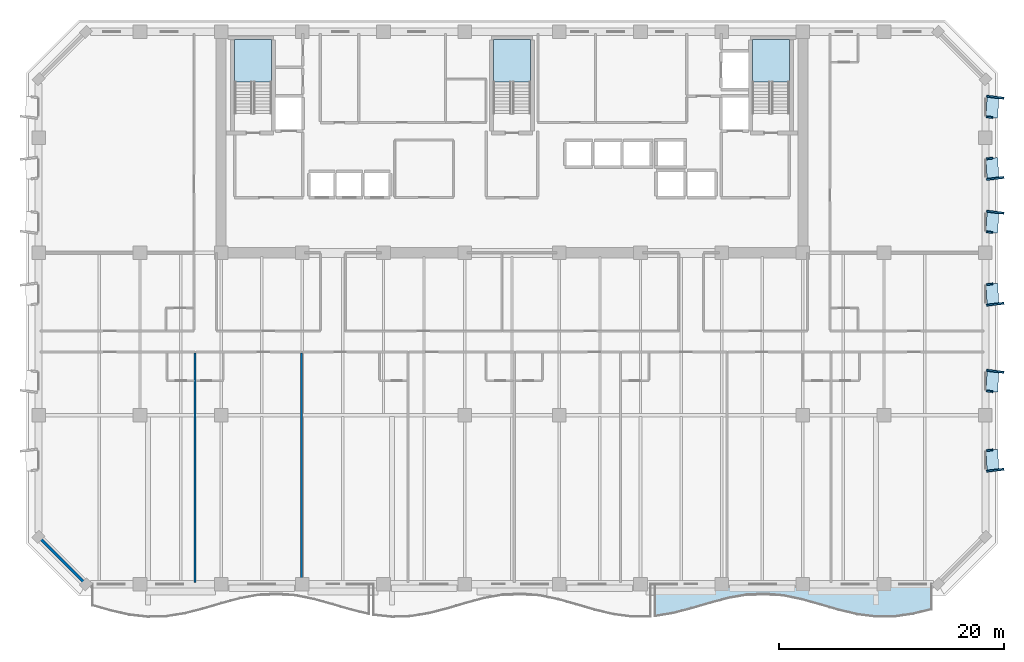
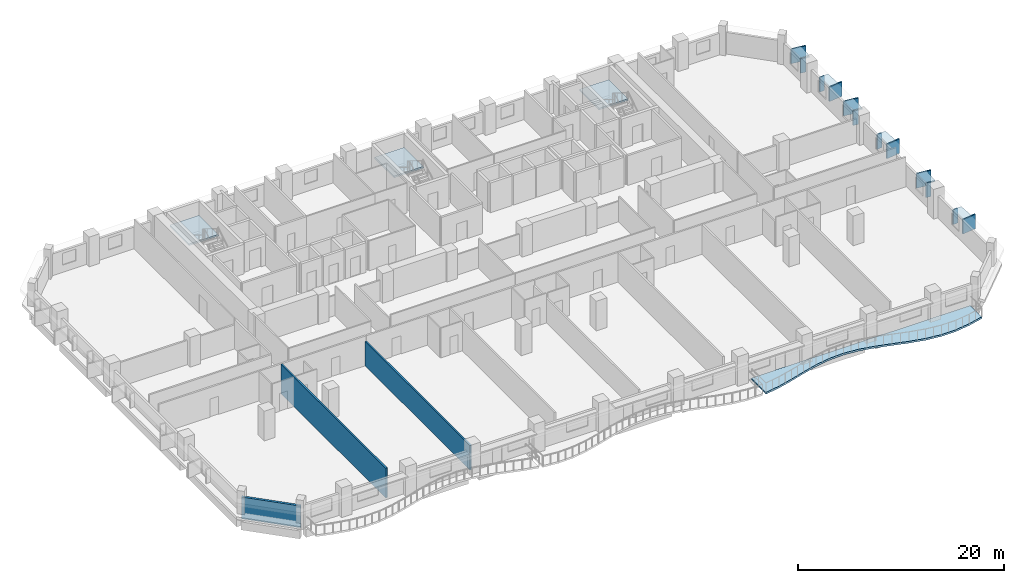
# One storey, part 3 of 14: 18 plates, 4 slabs, 3 walls, 3 elements without a shape of their own.
"""IFC4 building model written with IfcOpenShell, lengths in metres."""

from ifc_helpers import new_model, si_unit, direction, frame, frame_2d, origin, origin_2d, place, context, subcontext, project, spatial, polyline, rectangle, outline, extrude, material, layer, layer_set, type_object, element, aggregate, save


model = new_model("IFC4")

# Units and contexts
model_context = context("Model", 3, precision=1e-05, world=origin(), true_north=direction((0.0, 1.0)))
body_context = subcontext(model_context, "Body", "Model", "MODEL_VIEW")
ifc_project = project(units=[si_unit("LENGTHUNIT", "METRE"), si_unit("AREAUNIT", "SQUARE_METRE"), si_unit("VOLUMEUNIT", "CUBIC_METRE"), si_unit("PLANEANGLEUNIT", "RADIAN"), si_unit("MASSUNIT", "GRAM", prefix="KILO")], contexts=[model_context])

# Site, building, storey
site_placement = place(None, origin())
site = spatial("IfcSite", under=ifc_project, at=site_placement, CompositionType="ELEMENT")
building_placement = place(site_placement, origin())
building = spatial("IfcBuilding", under=site, at=building_placement, Name="Kaelvorn Grand Hotel", CompositionType="ELEMENT")
storey_placement = place(building_placement, frame((0.0, 0.0, 93.050048828125)))
storey = spatial("IfcBuildingStorey", under=building, at=storey_placement, Name="L21", CompositionType="ELEMENT", Elevation=93.050048828125)

# Plates
ifc_material_1 = material(Name="Precast concrete C45/55", Category="concrete")
ifc_layer_1 = layer(ifc_material_1, 0.159912109375)
ifc_layer_set_1 = layer_set([ifc_layer_1], Name="Precast concrete C45/55")
plate_type_1 = type_object("IfcPlateType", Name="PL-FRAME-DEEP-1550", PredefinedType="USERDEFINED", material=ifc_layer_set_1)
for number, where, z_axis, x_axis, name in (
    (1, (84.864990234375, 10.110107421875, 0.68994140625), (0.0, 0.0, 1.0), (-0.121869343405, 0.992546151641, 0.0), "L21 Tilted Precast Window Frame Fin L-E01"),
    (2, (84.864990234375, 18.889892578125, 0.68994140625), (0.0, 0.0, 1.0), (0.121869343405, 0.992546151641, 0.0), "L21 Tilted Precast Window Frame Fin R-E02"),
    (3, (84.864990234375, 24.8349609375, 0.68994140625), (0.0, 0.0, 1.0), (-0.121869343405, 0.992546151641, 0.0), "L21 Tilted Precast Window Frame Fin L-E03"),
    (4, (84.864990234375, 33.0048828125, 0.68994140625), (0.0, 0.0, 1.0), (0.121869343405, 0.992546151641, 0.0), "L21 Tilted Precast Window Frame Fin R-E04"),
    (5, (84.864990234375, 35.9951171875, 0.68994140625), (0.0, 0.0, 1.0), (-0.121869343405, 0.992546151641, 0.0), "L21 Tilted Precast Window Frame Fin L-E05"),
    (6, (84.864990234375, 43.205078125, 0.68994140625), (0.0, 0.0, 1.0), (0.121869343405, 0.992546151641, 0.0), "L21 Tilted Precast Window Frame Fin R-E06"),
):
    element("IfcPlate", number, at=place(storey_placement, frame(where, z_axis=z_axis, x_axis=x_axis)), inside=storey, type_object=plate_type_1, Name=name, ObjectType="FLANGE_PLATE", PredefinedType="USERDEFINED", context=body_context, shape_type="SweptSolid", body=[
        extrude(rectangle(XDim=0.159912109375, YDim=1.550048828125, at=origin_2d()), origin(), (0.0, 0.0, 1.0), 1.719970703125),
    ])
ifc_layer_2 = layer(ifc_material_1, 0.159912109375)
ifc_layer_set_2 = layer_set([ifc_layer_2], Name="Precast concrete C45/55")
plate_type_2 = type_object("IfcPlateType", Name="PL-FRAME-HEAD-1050", PredefinedType="USERDEFINED", material=ifc_layer_set_2)
for number, where, z_axis, x_axis, name in (
    (7, (84.614990234375, 11.0, 2.25), (0.0, 0.0, 1.0), (-0.054950179912, 0.998489097451, 0.0), "L21 Precast Window Frame Head Hood H-E01"),
    (8, (84.614990234375, 18.0, 2.25), (0.0, 0.0, 1.0), (0.054950179912, 0.998489097451, 0.0), "L21 Precast Window Frame Head Hood H-E02"),
    (9, (84.614990234375, 25.72509765625, 2.25), (0.0, 0.0, 1.0), (-0.054950179912, 0.998489097451, 0.0), "L21 Precast Window Frame Head Hood H-E03"),
    (10, (84.614990234375, 32.114990234375, 2.25), (0.0, 0.0, 1.0), (0.054950179912, 0.998489097451, 0.0), "L21 Precast Window Frame Head Hood H-E04"),
    (11, (84.614990234375, 36.885009765625, 2.25), (0.0, 0.0, 1.0), (-0.054950179912, 0.998489097451, 0.0), "L21 Precast Window Frame Head Hood H-E05"),
    (12, (84.614990234375, 42.31494140625, 2.25), (0.0, 0.0, 1.0), (0.054950179912, 0.998489097451, 0.0), "L21 Precast Window Frame Head Hood H-E06"),
):
    element("IfcPlate", number, at=place(storey_placement, frame(where, z_axis=z_axis, x_axis=x_axis)), inside=storey, type_object=plate_type_2, Name=name, ObjectType="FLANGE_PLATE", PredefinedType="USERDEFINED", context=body_context, shape_type="SweptSolid", body=[
        extrude(rectangle(XDim=1.860107421875, YDim=1.050048828125, at=origin_2d()), origin(), (0.0, 0.0, 1.0), 0.159912109375),
    ])
ifc_layer_3 = layer(ifc_material_1, 0.159912109375)
ifc_layer_set_3 = layer_set([ifc_layer_3], Name="Precast concrete C45/55")
plate_type_3 = type_object("IfcPlateType", Name="PL-FRAME-SHAL-550", PredefinedType="USERDEFINED", material=ifc_layer_set_3)
for number, where, z_axis, x_axis, name in (
    (13, (84.364990234375, 11.889892578125, 0.68994140625), (0.0, 0.0, 1.0), (-0.121869343405, 0.992546151641, 0.0), "L21 Tilted Precast Window Frame Fin R-E01"),
    (14, (84.364990234375, 17.110107421875, 0.68994140625), (0.0, 0.0, 1.0), (0.121869343405, 0.992546151641, 0.0), "L21 Tilted Precast Window Frame Fin L-E02"),
    (15, (84.364990234375, 26.614990234375, 0.68994140625), (0.0, 0.0, 1.0), (-0.121869343405, 0.992546151641, 0.0), "L21 Tilted Precast Window Frame Fin R-E03"),
    (16, (84.364990234375, 31.22509765625, 0.68994140625), (0.0, 0.0, 1.0), (0.121869343405, 0.992546151641, 0.0), "L21 Tilted Precast Window Frame Fin L-E04"),
    (17, (84.364990234375, 37.77490234375, 0.68994140625), (0.0, 0.0, 1.0), (-0.121869343405, 0.992546151641, 0.0), "L21 Tilted Precast Window Frame Fin R-E05"),
    (18, (84.364990234375, 41.425048828125, 0.68994140625), (0.0, 0.0, 1.0), (0.121869343405, 0.992546151641, 0.0), "L21 Tilted Precast Window Frame Fin L-E06"),
):
    element("IfcPlate", number, at=place(storey_placement, frame(where, z_axis=z_axis, x_axis=x_axis)), inside=storey, type_object=plate_type_3, Name=name, ObjectType="FLANGE_PLATE", PredefinedType="USERDEFINED", context=body_context, shape_type="SweptSolid", body=[
        extrude(rectangle(XDim=0.159912109375, YDim=0.550048828125, at=origin_2d()), origin(), (0.0, 0.0, 1.0), 1.719970703125),
    ])

# Slab
ifc_material_2 = material(Name="Concrete C40/50", Category="concrete")
ifc_layer_4 = layer(ifc_material_2, 0.219970703125)
ifc_layer_set_4 = layer_set([ifc_layer_4], Name="Concrete C40/50")
slab_type_1 = type_object("IfcSlabType", Name="SLB-BALC-220-C40", PredefinedType="FLOOR", material=ifc_layer_set_4)
slab_1_placement = place(storey_placement, frame((0.0, 0.0, -0.219970703125)))
element("IfcSlab", 19, at=slab_1_placement, inside=storey, type_object=slab_type_1, Name="L21 Scalloped Wave Balcony Slab 3", PredefinedType="FLOOR", context=body_context, shape_type="SweptSolid", body=[
    extrude(outline(polyline([(54.666748046875, -2.831298828125), (56.30224609375, -2.555908203125), (57.937744140625, -2.12939453125), (59.5732421875, -1.646240234375), (61.208984375, -1.214111328125), (62.844482421875, -0.9287109375), (64.47998046875, -0.853515625), (66.115478515625, -1.005126953125), (67.751220703125, -1.349853515625), (69.38671875, -1.8115234375), (71.022216796875, -2.287109375), (72.65771484375, -2.671142578125), (74.293212890625, -2.87841796875), (75.928955078125, -2.86279296875), (77.564453125, -2.627685546875), (79.199951171875, -2.2255859375), (79.199951171875, 0.0), (54.666748046875, 0.0), (54.666748046875, -2.831298828125)])), origin(), (0.0, 0.0, 1.0), 0.219970703125),
])

# Stair, slab
stair_type = type_object("IfcStairType", Name="STR-DOG-1560-R06", PredefinedType="HALF_TURN_STAIR", material=ifc_material_2)
stair_1_placement = place(storey_placement, origin())
stair_1 = element("IfcStair", 20, at=stair_1_placement, inside=storey, type_object=stair_type, Name="L21 West Core Exit Stair ST1", PredefinedType="HALF_TURN_STAIR")
ifc_layer_5 = layer(ifc_material_2, 0.199951171875)
ifc_layer_set_5 = layer_set([ifc_layer_5], Name="Concrete C40/50")
slab_type_2 = type_object("IfcSlabType", Name="SLB-LAND-200-C40", PredefinedType="LANDING", material=ifc_layer_set_5)
slab_2_placement = place(storey_placement, frame((0.0, 0.0, 1.675048828125)))
slab_2 = element("IfcSlab", 21, at=slab_2_placement, type_object=slab_type_2, Name="ST1 landing 1", PredefinedType="LANDING", context=body_context, shape_type="SweptSolid", body=[
    extrude(outline(polyline([(20.679931640625, 44.56005859375), (20.679931640625, 48.300048828125), (17.39990234375, 48.300048828125), (17.39990234375, 44.56005859375), (20.679931640625, 44.56005859375)])), origin(), (0.0, 0.0, 1.0), 0.199951171875),
])
aggregate(stair_1, [slab_2])

stair_2_placement = place(storey_placement, origin())
stair_2 = element("IfcStair", 22, at=stair_2_placement, inside=storey, type_object=stair_type, Name="L21 Central Core Exit Stair ST2", PredefinedType="HALF_TURN_STAIR")
slab_3_placement = place(storey_placement, frame((0.0, 0.0, 1.675048828125)))
slab_3 = element("IfcSlab", 23, at=slab_3_placement, type_object=slab_type_2, Name="ST2 landing 1", PredefinedType="LANDING", context=body_context, shape_type="SweptSolid", body=[
    extrude(outline(polyline([(43.639892578125, 44.56005859375), (43.639892578125, 48.300048828125), (40.360107421875, 48.300048828125), (40.360107421875, 44.56005859375), (43.639892578125, 44.56005859375)])), origin(), (0.0, 0.0, 1.0), 0.199951171875),
])
aggregate(stair_2, [slab_3])

stair_3_placement = place(storey_placement, origin())
stair_3 = element("IfcStair", 24, at=stair_3_placement, inside=storey, type_object=stair_type, Name="L21 East Core Exit Stair ST3", PredefinedType="HALF_TURN_STAIR")
slab_4_placement = place(storey_placement, frame((0.0, 0.0, 1.675048828125)))
slab_4 = element("IfcSlab", 25, at=slab_4_placement, type_object=slab_type_2, Name="ST3 landing 1", PredefinedType="LANDING", context=body_context, shape_type="SweptSolid", body=[
    extrude(outline(polyline([(66.60009765625, 44.56005859375), (66.60009765625, 48.300048828125), (63.320068359375, 48.300048828125), (63.320068359375, 44.56005859375), (66.60009765625, 44.56005859375)])), origin(), (0.0, 0.0, 1.0), 0.199951171875),
])
aggregate(stair_3, [slab_4])

# Walls
ifc_layer_6 = layer(ifc_material_2, 0.260009765625)
ifc_layer_set_6 = layer_set([ifc_layer_6], Name="Concrete C40/50")
wall_type_1 = type_object("IfcWallType", Name="WL-EXT-260-C40", PredefinedType="SOLIDWALL", material=ifc_layer_set_6)
wall_1_placement = place(storey_placement, frame((0.0, 4.199951171875, 0.0), z_axis=(0.0, 0.0, 1.0), x_axis=(0.707106781187, -0.707106781187, 0.0)))
element("IfcWall", 26, at=wall_1_placement, inside=storey, type_object=wall_type_1, Name="L21 Exterior Architectural Concrete Wall 08", PredefinedType="SOLIDWALL", context=body_context, shape_type="SweptSolid", body=[
    extrude(rectangle(XDim=5.939697265625, YDim=0.260009765625, at=frame_2d((2.9697265625, 0.0))), origin(), (0.0, 0.0, 1.0), 2.56005859375),
])
ifc_material_3 = material(Name="Acoustic Gypsum & Stud Partition")
ifc_layer_7 = layer(ifc_material_3, 0.179931640625)
ifc_layer_set_7 = layer_set([ifc_layer_7], Name="Acoustic Gypsum & Stud Partition")
wall_type_2 = type_object("IfcWallType", Name="WL-PART-180-EI60", PredefinedType="PARTITIONING", material=ifc_layer_set_7)
wall_2_placement = place(storey_placement, frame((13.8876953125, 0.14990234375, 0.0), z_axis=(0.0, 0.0, 1.0), x_axis=(0.0, 1.0, 0.0)))
element("IfcWall", 27, at=wall_2_placement, inside=storey, type_object=wall_type_2, Name="L21 Presidential Sky Suite L21-01 E Partition", PredefinedType="PARTITIONING", context=body_context, shape_type="SweptSolid", body=[
    extrude(rectangle(XDim=20.35498046875, YDim=0.179931640625, at=frame_2d((10.177490234375, 0.0))), origin(), (0.0, 0.0, 1.0), 3.510009765625),
])
wall_3_placement = place(storey_placement, frame((23.325439453125, 0.14990234375, 0.0), z_axis=(0.0, 0.0, 1.0), x_axis=(0.0, 1.0, 0.0)))
element("IfcWall", 28, at=wall_3_placement, inside=storey, type_object=wall_type_2, Name="L21 Deluxe Panoramic Suite L21-02 E Partition", PredefinedType="PARTITIONING", context=body_context, shape_type="SweptSolid", body=[
    extrude(rectangle(XDim=20.35498046875, YDim=0.179931640625, at=frame_2d((10.177490234375, 0.0))), origin(), (0.0, 0.0, 1.0), 2.897705078125),
])

save(model, "model.ifc")
